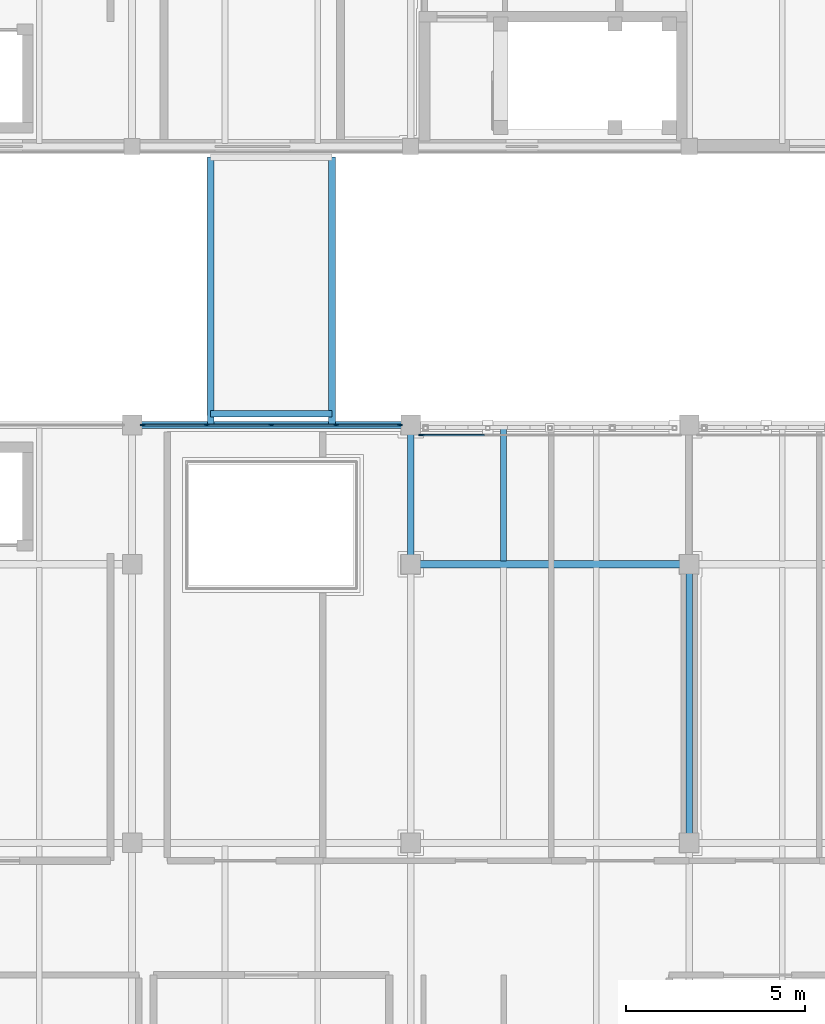
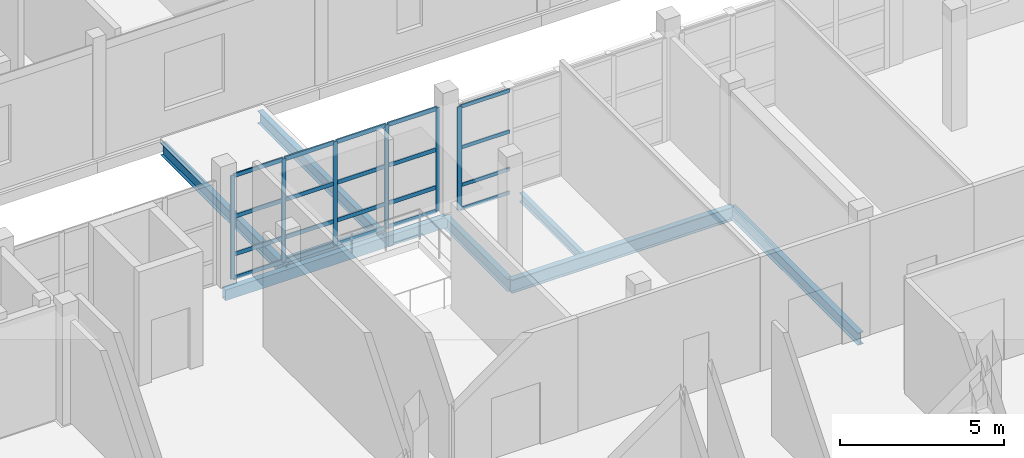
# One storey, part 18 of 119: 26 members, 8 beams, 2 elements without a shape of their own.
"""IFC4 building model written with IfcOpenShell, lengths in metres."""

from ifc_helpers import new_model, si_unit, direction, frame, origin, origin_2d, place, context, subcontext, project, spatial, rectangle, hollow_rectangle, i_section, extrude, material, layer, layer_set, material_profile, profile_set, type_object, element, aggregate, save


model = new_model("IFC4")

# Units and contexts
model_context = context("Model", 3, precision=1e-05, world=origin(), true_north=direction((0.0, 1.0)))
body_context = subcontext(model_context, "Body", "Model", "MODEL_VIEW")
ifc_project = project(units=[si_unit("LENGTHUNIT", "METRE"), si_unit("AREAUNIT", "SQUARE_METRE"), si_unit("VOLUMEUNIT", "CUBIC_METRE"), si_unit("PLANEANGLEUNIT", "RADIAN"), si_unit("MASSUNIT", "GRAM", prefix="KILO")], contexts=[model_context])

# Site, building, storey
site_placement = place(None, origin())
site = spatial("IfcSite", under=ifc_project, at=site_placement, CompositionType="ELEMENT")
building_placement = place(site_placement, origin())
building = spatial("IfcBuilding", under=site, at=building_placement, Name="Celorna Specialist Clinic", CompositionType="ELEMENT")
storey_placement = place(building_placement, frame((0.0, 0.0, 9.60009765625)))
storey = spatial("IfcBuildingStorey", under=building, at=storey_placement, Name="L02", CompositionType="ELEMENT", Elevation=9.60009765625)

# Beams
ifc_material_1 = material(Name="Steel S355", Category="steel")
ifc_material_profile_1 = material_profile(ifc_material_1, i_section(OverallWidth=0.199951171875, OverallDepth=0.5, WebThickness=0.01025390625, FlangeThickness=0.01611328125, at=origin_2d()), Name="IPE 500")
ifc_profile_set_1 = profile_set([ifc_material_profile_1], Name="Steel S355")
beam_type_1 = type_object("IfcBeamType", Name="BM-08", PredefinedType="BEAM", material=ifc_profile_set_1)
beam_1_placement = place(storey_placement, frame((23.39990234375, 23.39990234375, -0.510009765625), z_axis=(1.0, 0.0, 0.0), x_axis=(0.0, 1.0, 0.0)))
element("IfcBeam", 1, at=beam_1_placement, inside=storey, type_object=beam_type_1, Name="Primary girder BM-08 #1730", PredefinedType="BEAM", context=body_context, shape_type="SweptSolid", body=[
    extrude(i_section(OverallWidth=0.199951171875, OverallDepth=0.5, WebThickness=0.01025390625, FlangeThickness=0.01611328125, at=origin_2d()), origin(), (0.0, 0.0, 1.0), 7.800048828125),
])
ifc_material_profile_2 = material_profile(ifc_material_1, i_section(OverallWidth=0.18994140625, OverallDepth=0.449951171875, WebThickness=0.009521484375, FlangeThickness=0.0146484375, at=origin_2d()), Name="IPE 450")
ifc_profile_set_2 = profile_set([ifc_material_profile_2], Name="Steel S355")
beam_type_2 = type_object("IfcBeamType", Name="BM-09", PredefinedType="BEAM", material=ifc_profile_set_2)
for number, where, z_axis, x_axis, name in (
    (2, (17.800048828125, 27.300048828125, -0.364990234375), (0.0, 1.0, 0.0), (-1.0, 0.0, 0.0), "Bridge BR-01 edge girder BM-09 #72"),
    (3, (21.199951171875, 27.300048828125, -0.364990234375), (0.0, 1.0, 0.0), (-1.0, 0.0, 0.0), "Bridge BR-01 edge girder BM-09 #73"),
):
    element("IfcBeam", number, at=place(storey_placement, frame(where, z_axis=z_axis, x_axis=x_axis)), inside=storey, type_object=beam_type_2, Name=name, PredefinedType="BEAM", context=body_context, shape_type="SweptSolid", body=[
        extrude(i_section(OverallWidth=0.18994140625, OverallDepth=0.449951171875, WebThickness=0.009521484375, FlangeThickness=0.0146484375, at=origin_2d()), origin(), (0.0, 0.0, 1.0), 7.5),
    ])
beam_2_placement = place(storey_placement, frame((23.39990234375, 23.39990234375, -0.485107421875), z_axis=(0.0, 1.0, 0.0), x_axis=(-1.0, 0.0, 0.0)))
element("IfcBeam", 4, at=beam_2_placement, inside=storey, type_object=beam_type_2, Name="Transverse girder BM-09 #1758", PredefinedType="BEAM", context=body_context, shape_type="SweptSolid", body=[
    extrude(i_section(OverallWidth=0.18994140625, OverallDepth=0.449951171875, WebThickness=0.009521484375, FlangeThickness=0.0146484375, at=origin_2d()), origin(), (0.0, 0.0, 1.0), 3.900146484375),
])
beam_3_placement = place(storey_placement, frame((31.199951171875, 15.60009765625, -0.485107421875), z_axis=(0.0, 1.0, 0.0), x_axis=(-1.0, 0.0, 0.0)))
element("IfcBeam", 5, at=beam_3_placement, inside=storey, type_object=beam_type_2, Name="Transverse girder BM-09 #1762", PredefinedType="BEAM", context=body_context, shape_type="SweptSolid", body=[
    extrude(i_section(OverallWidth=0.18994140625, OverallDepth=0.449951171875, WebThickness=0.009521484375, FlangeThickness=0.0146484375, at=origin_2d()), origin(), (0.0, 0.0, 1.0), 7.7998046875),
])
ifc_material_profile_3 = material_profile(ifc_material_1, i_section(OverallWidth=0.179931640625, OverallDepth=0.39990234375, WebThickness=0.008544921875, FlangeThickness=0.013427734375, at=origin_2d()), Name="IPE 400")
ifc_profile_set_3 = profile_set([ifc_material_profile_3], Name="Steel S355")
beam_type_3 = type_object("IfcBeamType", Name="BM-10", PredefinedType="BEAM", material=ifc_profile_set_3)
beam_4_placement = place(storey_placement, frame((17.800048828125, 27.6201171875, -0.340087890625), z_axis=(1.0, 0.0, 0.0), x_axis=(0.0, 1.0, 0.0)))
element("IfcBeam", 6, at=beam_4_placement, inside=storey, type_object=beam_type_3, Name="Bridge BR-01 transverse beam BM-10 #74", PredefinedType="BEAM", context=body_context, shape_type="SweptSolid", body=[
    extrude(i_section(OverallWidth=0.179931640625, OverallDepth=0.39990234375, WebThickness=0.008544921875, FlangeThickness=0.013427734375, at=origin_2d()), origin(), (0.0, 0.0, 1.0), 3.39990234375),
])
ifc_material_profile_4 = material_profile(ifc_material_1, i_section(OverallWidth=0.159912109375, OverallDepth=0.330078125, WebThickness=0.007568359375, FlangeThickness=0.011474609375, at=origin_2d()), Name="IPE 330")
ifc_profile_set_4 = profile_set([ifc_material_profile_4], Name="Steel S355")
beam_type_4 = type_object("IfcBeamType", Name="BM-12", PredefinedType="JOIST", material=ifc_profile_set_4)
beam_5_placement = place(storey_placement, frame((26.0, 23.488037109375, -0.425048828125), z_axis=(0.0, 1.0, 0.0), x_axis=(-1.0, 0.0, 0.0)))
element("IfcBeam", 7, at=beam_5_placement, inside=storey, type_object=beam_type_4, Name="Secondary floor joist BM-12 #1803", PredefinedType="JOIST", context=body_context, shape_type="SweptSolid", body=[
    extrude(i_section(OverallWidth=0.159912109375, OverallDepth=0.330078125, WebThickness=0.007568359375, FlangeThickness=0.011474609375, at=origin_2d()), origin(), (0.0, 0.0, 1.0), 3.723876953125),
])
ifc_material_profile_5 = material_profile(ifc_material_1, hollow_rectangle(XDim=0.199951171875, YDim=0.39990234375, WallThickness=0.011962890625, at=origin_2d()), Name="RHS 200x400x12")
ifc_profile_set_5 = profile_set([ifc_material_profile_5], Name="Steel S355")
beam_type_5 = type_object("IfcBeamType", Name="BM-15", PredefinedType="SPANDREL", material=ifc_profile_set_5)
beam_6_placement = place(storey_placement, frame((15.60009765625, 27.300048828125, -0.460205078125), z_axis=(1.0, 0.0, 0.0), x_axis=(0.0, 1.0, 0.0)))
element("IfcBeam", 8, at=beam_6_placement, inside=storey, type_object=beam_type_5, Name="Spandrel beam BM-15 #1735", PredefinedType="SPANDREL", context=body_context, shape_type="SweptSolid", body=[
    extrude(hollow_rectangle(XDim=0.199951171875, YDim=0.39990234375, WallThickness=0.011962890625, at=origin_2d()), origin(), (0.0, 0.0, 1.0), 7.7998046875),
])

# Curtain wall, member
ifc_material_2 = material(Name="Thermally broken aluminium and solar-control glass curtain wall", Category="aluminium")
ifc_layer_1 = layer(ifc_material_2, 0.159912109375, Name="Thermally broken aluminium and solar-control glass curtain wall")
ifc_layer_set_1 = layer_set([ifc_layer_1], Name="Thermally broken aluminium and solar-control glass curtain wall")
curtain_wall_type_1 = type_object("IfcCurtainWallType", Name="CW-90", PredefinedType="NOTDEFINED", material=ifc_layer_set_1)
curtain_wall_1_placement = place(storey_placement, origin())
curtain_wall_1 = element("IfcCurtainWall", 9, at=curtain_wall_1_placement, inside=storey, type_object=curtain_wall_type_1, Name="Curtain wall CW-90 #164", PredefinedType="NOTDEFINED")
ifc_material_3 = material(Name="Anodized aluminium mullion", Category="aluminium")
ifc_material_profile_6 = material_profile(ifc_material_3, rectangle(XDim=0.050048828125, YDim=0.159912109375, at=origin_2d()), Name="ALU MULLION 50x160")
ifc_profile_set_6 = profile_set([ifc_material_profile_6], Name="Anodized aluminium mullion")
member_type_1 = type_object("IfcMemberType", Name="ML-01", PredefinedType="MULLION", material=ifc_profile_set_6)
member_1_placement = place(storey_placement, frame((23.7041015625, 27.02001953125, 0.0), z_axis=(0.0, 0.0, 1.0), x_axis=(0.0, 1.0, 0.0)))
member_1 = element("IfcMember", 10, at=member_1_placement, type_object=member_type_1, Name="CW-90 mullion 1", PredefinedType="MULLION", context=body_context, shape_type="SweptSolid", body=[
    extrude(rectangle(XDim=0.050048828125, YDim=0.159912109375, at=origin_2d()), origin(), (0.0, 0.0, 1.0), 3.83984375),
])

# Curtain wall, members
ifc_layer_2 = layer(ifc_material_2, 0.159912109375, Name="Thermally broken aluminium and solar-control glass curtain wall")
ifc_layer_set_2 = layer_set([ifc_layer_2], Name="Thermally broken aluminium and solar-control glass curtain wall")
curtain_wall_type_2 = type_object("IfcCurtainWallType", Name="CW-89", PredefinedType="NOTDEFINED", material=ifc_layer_set_2)
curtain_wall_2_placement = place(storey_placement, origin())
curtain_wall_2 = element("IfcCurtainWall", 11, at=curtain_wall_2_placement, inside=storey, type_object=curtain_wall_type_2, Name="Curtain wall CW-89 #163", PredefinedType="NOTDEFINED")
ifc_material_profile_7 = material_profile(ifc_material_3, rectangle(XDim=0.050048828125, YDim=0.139892578125, at=origin_2d()), Name="ALU MULLION 50x140")
ifc_profile_set_7 = profile_set([ifc_material_profile_7], Name="Anodized aluminium mullion")
member_type_2 = type_object("IfcMemberType", Name="ML-03", PredefinedType="MULLION", material=ifc_profile_set_7)
member_2_placement = place(storey_placement, frame((15.904052734375, 27.300048828125, 0.0), z_axis=(0.0, 0.0, 1.0), x_axis=(0.0, 1.0, 0.0)))
member_2 = element("IfcMember", 12, at=member_2_placement, type_object=member_type_2, Name="CW-89 mullion 1", PredefinedType="MULLION", context=body_context, shape_type="SweptSolid", body=[
    extrude(rectangle(XDim=0.050048828125, YDim=0.139892578125, at=origin_2d()), origin(), (0.0, 0.0, 1.0), 3.83984375),
])
member_3_placement = place(storey_placement, frame((17.689453125, 27.300048828125, 0.0), z_axis=(0.0, 0.0, 1.0), x_axis=(0.0, 1.0, 0.0)))
member_3 = element("IfcMember", 13, at=member_3_placement, type_object=member_type_2, Name="CW-89 mullion 2", PredefinedType="MULLION", context=body_context, shape_type="SweptSolid", body=[
    extrude(rectangle(XDim=0.050048828125, YDim=0.139892578125, at=origin_2d()), origin(), (0.0, 0.0, 1.0), 3.83984375),
])
member_4_placement = place(storey_placement, frame((19.5, 27.300048828125, 0.0), z_axis=(0.0, 0.0, 1.0), x_axis=(0.0, 1.0, 0.0)))
member_4 = element("IfcMember", 14, at=member_4_placement, type_object=member_type_2, Name="CW-89 mullion 3", PredefinedType="MULLION", context=body_context, shape_type="SweptSolid", body=[
    extrude(rectangle(XDim=0.050048828125, YDim=0.139892578125, at=origin_2d()), origin(), (0.0, 0.0, 1.0), 3.83984375),
])
member_5_placement = place(storey_placement, frame((21.310546875, 27.300048828125, 0.0), z_axis=(0.0, 0.0, 1.0), x_axis=(0.0, 1.0, 0.0)))
member_5 = element("IfcMember", 15, at=member_5_placement, type_object=member_type_2, Name="CW-89 mullion 4", PredefinedType="MULLION", context=body_context, shape_type="SweptSolid", body=[
    extrude(rectangle(XDim=0.050048828125, YDim=0.139892578125, at=origin_2d()), origin(), (0.0, 0.0, 1.0), 3.83984375),
])
member_6_placement = place(storey_placement, frame((23.095947265625, 27.300048828125, 0.0), z_axis=(0.0, 0.0, 1.0), x_axis=(0.0, 1.0, 0.0)))
member_6 = element("IfcMember", 16, at=member_6_placement, type_object=member_type_2, Name="CW-89 mullion 5", PredefinedType="MULLION", context=body_context, shape_type="SweptSolid", body=[
    extrude(rectangle(XDim=0.050048828125, YDim=0.139892578125, at=origin_2d()), origin(), (0.0, 0.0, 1.0), 3.83984375),
])

# Member
ifc_material_4 = material(Name="Anodized aluminium transom", Category="aluminium")
ifc_material_profile_8 = material_profile(ifc_material_4, rectangle(XDim=0.050048828125, YDim=0.1298828125, at=origin_2d()), Name="ALU TRANSOM 50x130")
ifc_profile_set_8 = profile_set([ifc_material_profile_8], Name="Anodized aluminium transom")
member_type_3 = type_object("IfcMemberType", Name="TR-01", PredefinedType="USERDEFINED", material=ifc_profile_set_8)
member_7_placement = place(storey_placement, frame((23.72900390625, 27.02001953125, 0.02490234375), z_axis=(1.0, 0.0, 0.0), x_axis=(0.0, 1.0, 0.0)))
member_7 = element("IfcMember", 17, at=member_7_placement, type_object=member_type_3, Name="CW-90 transom 1.1", ObjectType="TRANSOM", PredefinedType="USERDEFINED", context=body_context, shape_type="SweptSolid", body=[
    extrude(rectangle(XDim=0.050048828125, YDim=0.1298828125, at=origin_2d()), origin(), (0.0, 0.0, 1.0), 1.735595703125),
])

member_8_placement = place(storey_placement, frame((23.72900390625, 27.02001953125, 0.89990234375), z_axis=(1.0, 0.0, 0.0), x_axis=(0.0, 1.0, 0.0)))
member_8 = element("IfcMember", 18, at=member_8_placement, type_object=member_type_3, Name="CW-90 transom 1.2", ObjectType="TRANSOM", PredefinedType="USERDEFINED", context=body_context, shape_type="SweptSolid", body=[
    extrude(rectangle(XDim=0.050048828125, YDim=0.1298828125, at=origin_2d()), origin(), (0.0, 0.0, 1.0), 1.735595703125),
])

member_9_placement = place(storey_placement, frame((23.72900390625, 27.02001953125, 2.2998046875), z_axis=(1.0, 0.0, 0.0), x_axis=(0.0, 1.0, 0.0)))
member_9 = element("IfcMember", 19, at=member_9_placement, type_object=member_type_3, Name="CW-90 transom 1.3", ObjectType="TRANSOM", PredefinedType="USERDEFINED", context=body_context, shape_type="SweptSolid", body=[
    extrude(rectangle(XDim=0.050048828125, YDim=0.1298828125, at=origin_2d()), origin(), (0.0, 0.0, 1.0), 1.735595703125),
])

member_10_placement = place(storey_placement, frame((23.72900390625, 27.02001953125, 3.81494140625), z_axis=(1.0, 0.0, 0.0), x_axis=(0.0, 1.0, 0.0)))
member_10 = element("IfcMember", 20, at=member_10_placement, type_object=member_type_3, Name="CW-90 transom 1.4", ObjectType="TRANSOM", PredefinedType="USERDEFINED", context=body_context, shape_type="SweptSolid", body=[
    extrude(rectangle(XDim=0.050048828125, YDim=0.1298828125, at=origin_2d()), origin(), (0.0, 0.0, 1.0), 1.735595703125),
])

aggregate(curtain_wall_1, [member_1, member_7, member_8, member_9, member_10])

ifc_material_profile_9 = material_profile(ifc_material_4, rectangle(XDim=0.050048828125, YDim=0.14990234375, at=origin_2d()), Name="ALU TRANSOM 50x150")
ifc_profile_set_9 = profile_set([ifc_material_profile_9], Name="Anodized aluminium transom")
member_type_4 = type_object("IfcMemberType", Name="TR-02", PredefinedType="USERDEFINED", material=ifc_profile_set_9)
member_11_placement = place(storey_placement, frame((15.928955078125, 27.300048828125, 0.02490234375), z_axis=(1.0, 0.0, 0.0), x_axis=(0.0, 1.0, 0.0)))
member_11 = element("IfcMember", 21, at=member_11_placement, type_object=member_type_4, Name="CW-89 transom 1.1", ObjectType="TRANSOM", PredefinedType="USERDEFINED", context=body_context, shape_type="SweptSolid", body=[
    extrude(rectangle(XDim=0.050048828125, YDim=0.14990234375, at=origin_2d()), origin(), (0.0, 0.0, 1.0), 1.735595703125),
])

member_12_placement = place(storey_placement, frame((15.928955078125, 27.300048828125, 0.89990234375), z_axis=(1.0, 0.0, 0.0), x_axis=(0.0, 1.0, 0.0)))
member_12 = element("IfcMember", 22, at=member_12_placement, type_object=member_type_4, Name="CW-89 transom 1.2", ObjectType="TRANSOM", PredefinedType="USERDEFINED", context=body_context, shape_type="SweptSolid", body=[
    extrude(rectangle(XDim=0.050048828125, YDim=0.14990234375, at=origin_2d()), origin(), (0.0, 0.0, 1.0), 1.735595703125),
])

member_13_placement = place(storey_placement, frame((15.928955078125, 27.300048828125, 2.2998046875), z_axis=(1.0, 0.0, 0.0), x_axis=(0.0, 1.0, 0.0)))
member_13 = element("IfcMember", 23, at=member_13_placement, type_object=member_type_4, Name="CW-89 transom 1.3", ObjectType="TRANSOM", PredefinedType="USERDEFINED", context=body_context, shape_type="SweptSolid", body=[
    extrude(rectangle(XDim=0.050048828125, YDim=0.14990234375, at=origin_2d()), origin(), (0.0, 0.0, 1.0), 1.735595703125),
])

member_14_placement = place(storey_placement, frame((15.928955078125, 27.300048828125, 3.81494140625), z_axis=(1.0, 0.0, 0.0), x_axis=(0.0, 1.0, 0.0)))
member_14 = element("IfcMember", 24, at=member_14_placement, type_object=member_type_4, Name="CW-89 transom 1.4", ObjectType="TRANSOM", PredefinedType="USERDEFINED", context=body_context, shape_type="SweptSolid", body=[
    extrude(rectangle(XDim=0.050048828125, YDim=0.14990234375, at=origin_2d()), origin(), (0.0, 0.0, 1.0), 1.735595703125),
])

member_15_placement = place(storey_placement, frame((17.714599609375, 27.300048828125, 0.02490234375), z_axis=(1.0, 0.0, 0.0), x_axis=(0.0, 1.0, 0.0)))
member_15 = element("IfcMember", 25, at=member_15_placement, type_object=member_type_4, Name="CW-89 transom 2.1", ObjectType="TRANSOM", PredefinedType="USERDEFINED", context=body_context, shape_type="SweptSolid", body=[
    extrude(rectangle(XDim=0.050048828125, YDim=0.14990234375, at=origin_2d()), origin(), (0.0, 0.0, 1.0), 1.760498046875),
])

member_16_placement = place(storey_placement, frame((17.714599609375, 27.300048828125, 0.89990234375), z_axis=(1.0, 0.0, 0.0), x_axis=(0.0, 1.0, 0.0)))
member_16 = element("IfcMember", 26, at=member_16_placement, type_object=member_type_4, Name="CW-89 transom 2.2", ObjectType="TRANSOM", PredefinedType="USERDEFINED", context=body_context, shape_type="SweptSolid", body=[
    extrude(rectangle(XDim=0.050048828125, YDim=0.14990234375, at=origin_2d()), origin(), (0.0, 0.0, 1.0), 1.760498046875),
])

member_17_placement = place(storey_placement, frame((17.714599609375, 27.300048828125, 2.2998046875), z_axis=(1.0, 0.0, 0.0), x_axis=(0.0, 1.0, 0.0)))
member_17 = element("IfcMember", 27, at=member_17_placement, type_object=member_type_4, Name="CW-89 transom 2.3", ObjectType="TRANSOM", PredefinedType="USERDEFINED", context=body_context, shape_type="SweptSolid", body=[
    extrude(rectangle(XDim=0.050048828125, YDim=0.14990234375, at=origin_2d()), origin(), (0.0, 0.0, 1.0), 1.760498046875),
])

member_18_placement = place(storey_placement, frame((17.714599609375, 27.300048828125, 3.81494140625), z_axis=(1.0, 0.0, 0.0), x_axis=(0.0, 1.0, 0.0)))
member_18 = element("IfcMember", 28, at=member_18_placement, type_object=member_type_4, Name="CW-89 transom 2.4", ObjectType="TRANSOM", PredefinedType="USERDEFINED", context=body_context, shape_type="SweptSolid", body=[
    extrude(rectangle(XDim=0.050048828125, YDim=0.14990234375, at=origin_2d()), origin(), (0.0, 0.0, 1.0), 1.760498046875),
])

member_19_placement = place(storey_placement, frame((19.52490234375, 27.300048828125, 0.02490234375), z_axis=(1.0, 0.0, 0.0), x_axis=(0.0, 1.0, 0.0)))
member_19 = element("IfcMember", 29, at=member_19_placement, type_object=member_type_4, Name="CW-89 transom 3.1", ObjectType="TRANSOM", PredefinedType="USERDEFINED", context=body_context, shape_type="SweptSolid", body=[
    extrude(rectangle(XDim=0.050048828125, YDim=0.14990234375, at=origin_2d()), origin(), (0.0, 0.0, 1.0), 1.760498046875),
])

member_20_placement = place(storey_placement, frame((19.52490234375, 27.300048828125, 0.89990234375), z_axis=(1.0, 0.0, 0.0), x_axis=(0.0, 1.0, 0.0)))
member_20 = element("IfcMember", 30, at=member_20_placement, type_object=member_type_4, Name="CW-89 transom 3.2", ObjectType="TRANSOM", PredefinedType="USERDEFINED", context=body_context, shape_type="SweptSolid", body=[
    extrude(rectangle(XDim=0.050048828125, YDim=0.14990234375, at=origin_2d()), origin(), (0.0, 0.0, 1.0), 1.760498046875),
])

member_21_placement = place(storey_placement, frame((19.52490234375, 27.300048828125, 2.2998046875), z_axis=(1.0, 0.0, 0.0), x_axis=(0.0, 1.0, 0.0)))
member_21 = element("IfcMember", 31, at=member_21_placement, type_object=member_type_4, Name="CW-89 transom 3.3", ObjectType="TRANSOM", PredefinedType="USERDEFINED", context=body_context, shape_type="SweptSolid", body=[
    extrude(rectangle(XDim=0.050048828125, YDim=0.14990234375, at=origin_2d()), origin(), (0.0, 0.0, 1.0), 1.760498046875),
])

member_22_placement = place(storey_placement, frame((19.52490234375, 27.300048828125, 3.81494140625), z_axis=(1.0, 0.0, 0.0), x_axis=(0.0, 1.0, 0.0)))
member_22 = element("IfcMember", 32, at=member_22_placement, type_object=member_type_4, Name="CW-89 transom 3.4", ObjectType="TRANSOM", PredefinedType="USERDEFINED", context=body_context, shape_type="SweptSolid", body=[
    extrude(rectangle(XDim=0.050048828125, YDim=0.14990234375, at=origin_2d()), origin(), (0.0, 0.0, 1.0), 1.760498046875),
])

member_23_placement = place(storey_placement, frame((21.33544921875, 27.300048828125, 0.02490234375), z_axis=(1.0, 0.0, 0.0), x_axis=(0.0, 1.0, 0.0)))
member_23 = element("IfcMember", 33, at=member_23_placement, type_object=member_type_4, Name="CW-89 transom 4.1", ObjectType="TRANSOM", PredefinedType="USERDEFINED", context=body_context, shape_type="SweptSolid", body=[
    extrude(rectangle(XDim=0.050048828125, YDim=0.14990234375, at=origin_2d()), origin(), (0.0, 0.0, 1.0), 1.735595703125),
])

member_24_placement = place(storey_placement, frame((21.33544921875, 27.300048828125, 0.89990234375), z_axis=(1.0, 0.0, 0.0), x_axis=(0.0, 1.0, 0.0)))
member_24 = element("IfcMember", 34, at=member_24_placement, type_object=member_type_4, Name="CW-89 transom 4.2", ObjectType="TRANSOM", PredefinedType="USERDEFINED", context=body_context, shape_type="SweptSolid", body=[
    extrude(rectangle(XDim=0.050048828125, YDim=0.14990234375, at=origin_2d()), origin(), (0.0, 0.0, 1.0), 1.735595703125),
])

member_25_placement = place(storey_placement, frame((21.33544921875, 27.300048828125, 2.2998046875), z_axis=(1.0, 0.0, 0.0), x_axis=(0.0, 1.0, 0.0)))
member_25 = element("IfcMember", 35, at=member_25_placement, type_object=member_type_4, Name="CW-89 transom 4.3", ObjectType="TRANSOM", PredefinedType="USERDEFINED", context=body_context, shape_type="SweptSolid", body=[
    extrude(rectangle(XDim=0.050048828125, YDim=0.14990234375, at=origin_2d()), origin(), (0.0, 0.0, 1.0), 1.735595703125),
])

member_26_placement = place(storey_placement, frame((21.33544921875, 27.300048828125, 3.81494140625), z_axis=(1.0, 0.0, 0.0), x_axis=(0.0, 1.0, 0.0)))
member_26 = element("IfcMember", 36, at=member_26_placement, type_object=member_type_4, Name="CW-89 transom 4.4", ObjectType="TRANSOM", PredefinedType="USERDEFINED", context=body_context, shape_type="SweptSolid", body=[
    extrude(rectangle(XDim=0.050048828125, YDim=0.14990234375, at=origin_2d()), origin(), (0.0, 0.0, 1.0), 1.735595703125),
])

aggregate(curtain_wall_2, [member_2, member_3, member_4, member_5, member_6, member_11, member_12, member_13, member_14, member_15, member_16, member_17, member_18, member_19, member_20, member_21, member_22, member_23, member_24, member_25, member_26])

save(model, "model.ifc")
